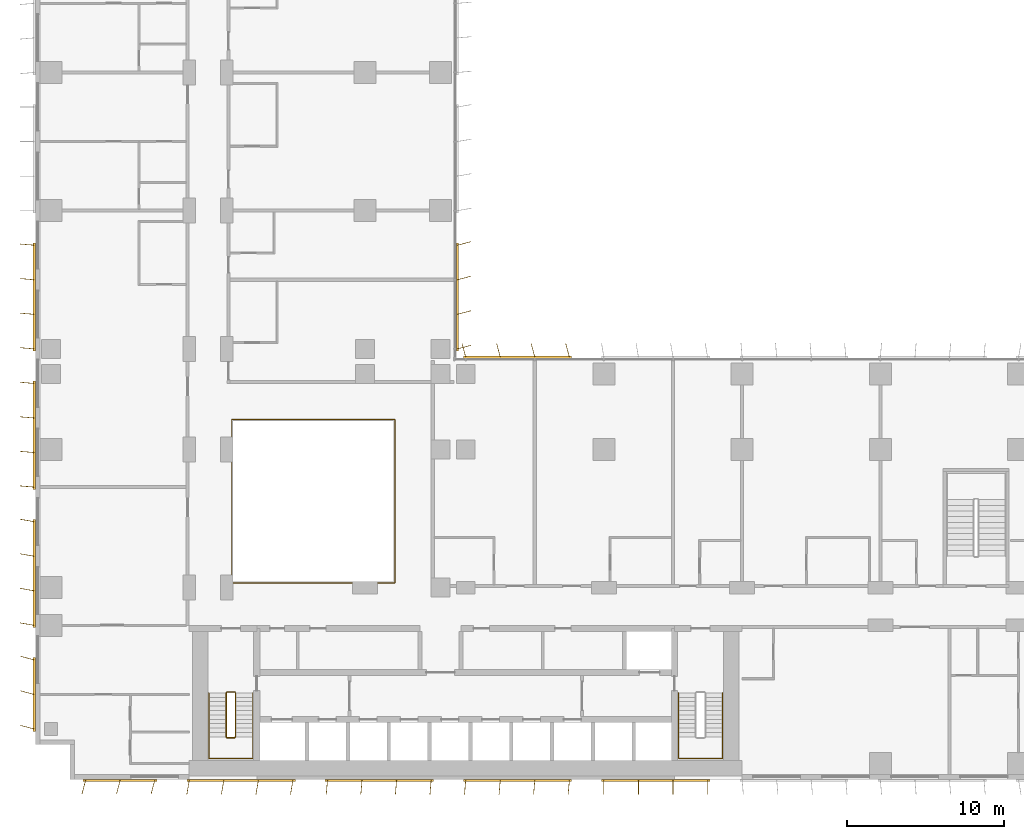
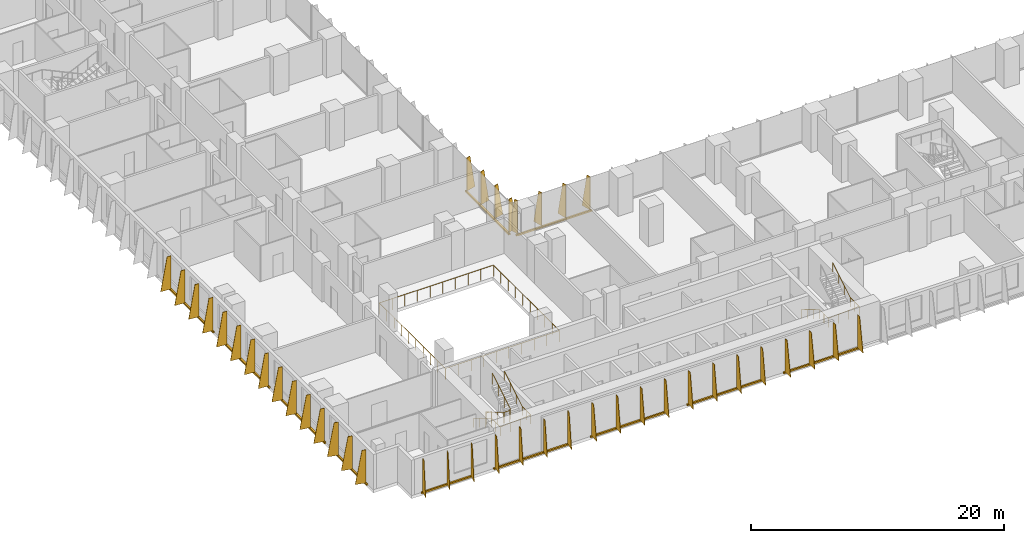
# One storey, part 21 of 24: 11 shading devices, 4 railings.
"""IFC4 building model written with IfcOpenShell, lengths in metres."""

from ifc_helpers import new_model, si_unit, direction, frame, origin, origin_2d, place, context, subcontext, project, spatial, polyline, rectangle, circle, outline, extrude, source, transform, mapped, material, layer, layer_set, type_object, element, save


model = new_model("IFC4")

# Units and contexts
model_context = context("Model", 3, precision=1e-05, world=origin(), true_north=direction((0.0, 1.0)))
body_context = subcontext(model_context, "Body", "Model", "MODEL_VIEW")
ifc_project = project(units=[si_unit("LENGTHUNIT", "METRE"), si_unit("AREAUNIT", "SQUARE_METRE"), si_unit("VOLUMEUNIT", "CUBIC_METRE"), si_unit("PLANEANGLEUNIT", "RADIAN"), si_unit("MASSUNIT", "GRAM", prefix="KILO")], contexts=[model_context])

# Site, building, storey
site_placement = place(None, origin())
site = spatial("IfcSite", under=ifc_project, at=site_placement, CompositionType="ELEMENT")
building_placement = place(site_placement, origin())
building = spatial("IfcBuilding", under=site, at=building_placement, Name="Kemantara Hotel Tower", CompositionType="ELEMENT")
storey_placement = place(building_placement, frame((0.0, 0.0, 76.0)))
storey = spatial("IfcBuildingStorey", under=building, at=storey_placement, Name="L17", CompositionType="ELEMENT", Elevation=76.0)

# Railings
ifc_material_1 = material(Name="Stainless steel and laminated glass balustrade", Category="steel")
railing_type_1 = type_object("IfcRailingType", Name="ATRIUM GUARD 1100", PredefinedType="GUARDRAIL", material=ifc_material_1)
railing_1_placement = place(storey_placement, frame((12.56005859375, 12.5, 0.0)))
element("IfcRailing", 1, at=railing_1_placement, inside=storey, type_object=railing_type_1, Name="ATRIUM GUARD L17", PredefinedType="GUARDRAIL", context=body_context, shape_type="SweptSolid", body=[
    extrude(circle(Radius=0.02490234375, at=origin_2d()), frame((0.0, 0.0, 1.0751953125), z_axis=(1.0, 0.0, 0.0), x_axis=(0.0, 1.0, 0.0)), (0.0, 0.0, 1.0), 10.33984375),
    extrude(circle(Radius=0.02490234375, at=origin_2d()), frame((10.33984375, 0.0, 1.0751953125), z_axis=(0.0, 1.0, 0.0), x_axis=(-1.0, 0.0, 0.0)), (0.0, 0.0, 1.0), 10.39990234375),
    extrude(circle(Radius=0.02490234375, at=origin_2d()), frame((10.33984375, 10.39990234375, 1.0751953125), z_axis=(-1.0, 0.0, 0.0), x_axis=(0.0, -1.0, 0.0)), (0.0, 0.0, 1.0), 10.39990234375),
    extrude(circle(Radius=0.02490234375, at=origin_2d()), frame((-0.06005859375, 10.39990234375, 1.0751953125), z_axis=(0.0, -1.0, 0.0), x_axis=(1.0, 0.0, 0.0)), (0.0, 0.0, 1.0), 10.39990234375),
    extrude(circle(Radius=0.02001953125, at=origin_2d()), origin(), (0.0, 0.0, 1.0), 1.050048828125),
    extrude(circle(Radius=0.02001953125, at=origin_2d()), frame((1.14892578125, 0.0, 0.0)), (0.0, 0.0, 1.0), 1.050048828125),
    extrude(circle(Radius=0.02001953125, at=origin_2d()), frame((2.2978515625, 0.0, 0.0)), (0.0, 0.0, 1.0), 1.050048828125),
    extrude(circle(Radius=0.02001953125, at=origin_2d()), frame((3.446533203125, 0.0, 0.0)), (0.0, 0.0, 1.0), 1.050048828125),
    extrude(circle(Radius=0.02001953125, at=origin_2d()), frame((4.595458984375, 0.0, 0.0)), (0.0, 0.0, 1.0), 1.050048828125),
    extrude(circle(Radius=0.02001953125, at=origin_2d()), frame((5.744384765625, 0.0, 0.0)), (0.0, 0.0, 1.0), 1.050048828125),
    extrude(circle(Radius=0.02001953125, at=origin_2d()), frame((6.893310546875, 0.0, 0.0)), (0.0, 0.0, 1.0), 1.050048828125),
    extrude(circle(Radius=0.02001953125, at=origin_2d()), frame((8.0419921875, 0.0, 0.0)), (0.0, 0.0, 1.0), 1.050048828125),
    extrude(circle(Radius=0.02001953125, at=origin_2d()), frame((9.19091796875, 0.0, 0.0)), (0.0, 0.0, 1.0), 1.050048828125),
    extrude(circle(Radius=0.02001953125, at=origin_2d()), frame((10.33984375, 0.0, 0.0)), (0.0, 0.0, 1.0), 1.050048828125),
    extrude(circle(Radius=0.02001953125, at=origin_2d()), frame((10.33984375, 1.155517578125, 0.0)), (0.0, 0.0, 1.0), 1.050048828125),
    extrude(circle(Radius=0.02001953125, at=origin_2d()), frame((10.33984375, 2.31103515625, 0.0)), (0.0, 0.0, 1.0), 1.050048828125),
    extrude(circle(Radius=0.02001953125, at=origin_2d()), frame((10.33984375, 3.466552734375, 0.0)), (0.0, 0.0, 1.0), 1.050048828125),
    extrude(circle(Radius=0.02001953125, at=origin_2d()), frame((10.33984375, 4.6220703125, 0.0)), (0.0, 0.0, 1.0), 1.050048828125),
    extrude(circle(Radius=0.02001953125, at=origin_2d()), frame((10.33984375, 5.77783203125, 0.0)), (0.0, 0.0, 1.0), 1.050048828125),
    extrude(circle(Radius=0.02001953125, at=origin_2d()), frame((10.33984375, 6.933349609375, 0.0)), (0.0, 0.0, 1.0), 1.050048828125),
    extrude(circle(Radius=0.02001953125, at=origin_2d()), frame((10.33984375, 8.0888671875, 0.0)), (0.0, 0.0, 1.0), 1.050048828125),
    extrude(circle(Radius=0.02001953125, at=origin_2d()), frame((10.33984375, 9.244384765625, 0.0)), (0.0, 0.0, 1.0), 1.050048828125),
    extrude(circle(Radius=0.02001953125, at=origin_2d()), frame((10.33984375, 10.39990234375, 0.0)), (0.0, 0.0, 1.0), 1.050048828125),
    extrude(circle(Radius=0.02001953125, at=origin_2d()), frame((9.184326171875, 10.39990234375, 0.0)), (0.0, 0.0, 1.0), 1.050048828125),
    extrude(circle(Radius=0.02001953125, at=origin_2d()), frame((8.02880859375, 10.39990234375, 0.0)), (0.0, 0.0, 1.0), 1.050048828125),
    extrude(circle(Radius=0.02001953125, at=origin_2d()), frame((6.873291015625, 10.39990234375, 0.0)), (0.0, 0.0, 1.0), 1.050048828125),
    extrude(circle(Radius=0.02001953125, at=origin_2d()), frame((5.7177734375, 10.39990234375, 0.0)), (0.0, 0.0, 1.0), 1.050048828125),
    extrude(circle(Radius=0.02001953125, at=origin_2d()), frame((4.56201171875, 10.39990234375, 0.0)), (0.0, 0.0, 1.0), 1.050048828125),
    extrude(circle(Radius=0.02001953125, at=origin_2d()), frame((3.406494140625, 10.39990234375, 0.0)), (0.0, 0.0, 1.0), 1.050048828125),
    extrude(circle(Radius=0.02001953125, at=origin_2d()), frame((2.2509765625, 10.39990234375, 0.0)), (0.0, 0.0, 1.0), 1.050048828125),
    extrude(circle(Radius=0.02001953125, at=origin_2d()), frame((1.095458984375, 10.39990234375, 0.0)), (0.0, 0.0, 1.0), 1.050048828125),
    extrude(circle(Radius=0.02001953125, at=origin_2d()), frame((-0.06005859375, 10.39990234375, 0.0)), (0.0, 0.0, 1.0), 1.050048828125),
    extrude(circle(Radius=0.02001953125, at=origin_2d()), frame((-0.06005859375, 9.244384765625, 0.0)), (0.0, 0.0, 1.0), 1.050048828125),
    extrude(circle(Radius=0.02001953125, at=origin_2d()), frame((-0.06005859375, 8.0888671875, 0.0)), (0.0, 0.0, 1.0), 1.050048828125),
    extrude(circle(Radius=0.02001953125, at=origin_2d()), frame((-0.06005859375, 6.933349609375, 0.0)), (0.0, 0.0, 1.0), 1.050048828125),
    extrude(circle(Radius=0.02001953125, at=origin_2d()), frame((-0.06005859375, 5.77783203125, 0.0)), (0.0, 0.0, 1.0), 1.050048828125),
    extrude(circle(Radius=0.02001953125, at=origin_2d()), frame((-0.06005859375, 4.6220703125, 0.0)), (0.0, 0.0, 1.0), 1.050048828125),
    extrude(circle(Radius=0.02001953125, at=origin_2d()), frame((-0.06005859375, 3.466552734375, 0.0)), (0.0, 0.0, 1.0), 1.050048828125),
    extrude(circle(Radius=0.02001953125, at=origin_2d()), frame((-0.06005859375, 2.31103515625, 0.0)), (0.0, 0.0, 1.0), 1.050048828125),
    extrude(circle(Radius=0.02001953125, at=origin_2d()), frame((-0.06005859375, 1.155517578125, 0.0)), (0.0, 0.0, 1.0), 1.050048828125),
    extrude(circle(Radius=0.02001953125, at=origin_2d()), frame((-0.06005859375, 0.0, 0.0)), (0.0, 0.0, 1.0), 1.050048828125),
])
ifc_material_2 = material(Name="Stainless steel balustrade", Category="steel")
railing_type_2 = type_object("IfcRailingType", Name="Stair guard 1100 mm", PredefinedType="GUARDRAIL", material=ifc_material_2)
railing_2_placement = place(storey_placement, frame((12.75, 5.5, 3.699951171875)))
element("IfcRailing", 2, at=railing_2_placement, inside=storey, type_object=railing_type_2, Name="L17 ST1 stair guard 1", PredefinedType="GUARDRAIL", context=body_context, shape_type="SweptSolid", body=[
    extrude(circle(Radius=0.02392578125, at=origin_2d()), frame((0.0, 0.0, 1.076171875), z_axis=(0.0, -0.857242210791, -0.514913383045), x_axis=(1.0, 0.0, 0.0)), (0.0, 0.0, 1.0), 3.266357421875),
    extrude(circle(Radius=0.02392578125, at=origin_2d()), frame((0.0, -2.800048828125, -0.60595703125), z_axis=(-0.274582412415, -0.274582412415, -0.921525364591), x_axis=(0.707106781187, -0.707106781187, 0.0)), (0.0, 0.0, 1.0), 0.182373046875),
    extrude(circle(Radius=0.02392578125, at=origin_2d()), frame((-0.050048828125, -2.85009765625, -0.77392578125), z_axis=(-1.0, 0.0, 0.0), x_axis=(0.0, -1.0, 0.0)), (0.0, 0.0, 1.0), 0.5),
    extrude(circle(Radius=0.02392578125, at=origin_2d()), frame((-0.550048828125, -2.85009765625, -0.77392578125), z_axis=(-0.707106781187, 0.707106781187, 0.0), x_axis=(-0.707106781187, -0.707106781187, 0.0)), (0.0, 0.0, 1.0), 0.07080078125),
    extrude(circle(Radius=0.02392578125, at=origin_2d()), frame((-0.60009765625, -2.800048828125, -0.77392578125), z_axis=(0.0, 0.857242210791, -0.514913383045), x_axis=(-1.0, 0.0, 0.0)), (0.0, 0.0, 1.0), 3.266357421875),
    extrude(circle(Radius=0.02392578125, at=origin_2d()), frame((-0.60009765625, 0.0, -2.45556640625), z_axis=(0.274243871929, 0.274243871929, -0.92172696468), x_axis=(-0.707106781187, 0.707106781187, 0.0)), (0.0, 0.0, 1.0), 0.1826171875),
    extrude(circle(Radius=0.02392578125, at=origin_2d()), frame((-0.550048828125, 0.050048828125, -2.6240234375), z_axis=(1.0, 0.0, 0.0), x_axis=(0.0, 1.0, 0.0)), (0.0, 0.0, 1.0), 0.5),
    extrude(circle(Radius=0.02099609375, at=origin_2d()), origin(), (0.0, 0.0, 1.0), 1.052001953125),
    extrude(circle(Radius=0.02099609375, at=origin_2d()), frame((0.0, -0.933349609375, -0.560546875)), (0.0, 0.0, 1.0), 1.052001953125),
    extrude(circle(Radius=0.02099609375, at=origin_2d()), frame((0.0, -1.86669921875, -1.121337890625)), (0.0, 0.0, 1.0), 1.052001953125),
    extrude(circle(Radius=0.02099609375, at=origin_2d()), frame((0.0, -2.800048828125, -1.681884765625)), (0.0, 0.0, 1.0), 1.052001953125),
    extrude(circle(Radius=0.02099609375, at=origin_2d()), frame((-0.050048828125, -2.85009765625, -1.849853515625)), (0.0, 0.0, 1.0), 1.052001953125),
    extrude(circle(Radius=0.02099609375, at=origin_2d()), frame((-0.550048828125, -2.85009765625, -1.849853515625)), (0.0, 0.0, 1.0), 1.052001953125),
    extrude(circle(Radius=0.02099609375, at=origin_2d()), frame((-0.60009765625, -2.800048828125, -1.849853515625)), (0.0, 0.0, 1.0), 1.052001953125),
    extrude(circle(Radius=0.02099609375, at=origin_2d()), frame((-0.60009765625, -1.86669921875, -2.410400390625)), (0.0, 0.0, 1.0), 1.052001953125),
    extrude(circle(Radius=0.02099609375, at=origin_2d()), frame((-0.60009765625, -0.933349609375, -2.97119140625)), (0.0, 0.0, 1.0), 1.052001953125),
    extrude(circle(Radius=0.02099609375, at=origin_2d()), frame((-0.60009765625, 0.0, -3.53173828125)), (0.0, 0.0, 1.0), 1.052001953125),
    extrude(circle(Radius=0.02099609375, at=origin_2d()), frame((-0.550048828125, 0.050048828125, -3.699951171875)), (0.0, 0.0, 1.0), 1.052001953125),
    extrude(circle(Radius=0.02099609375, at=origin_2d()), frame((-0.050048828125, 0.050048828125, -3.699951171875)), (0.0, 0.0, 1.0), 1.052001953125),
])
railing_type_3 = type_object("IfcRailingType", Name="Stair handrail 900 mm", PredefinedType="HANDRAIL", material=ifc_material_2)
railing_3_placement = place(storey_placement, frame((11.050048828125, 5.5, 0.168212890625)))
element("IfcRailing", 3, at=railing_3_placement, inside=storey, type_object=railing_type_3, Name="L17 ST1 stair handrail 1", PredefinedType="HANDRAIL", context=body_context, shape_type="SweptSolid", body=[
    extrude(circle(Radius=0.02392578125, at=origin_2d()), frame((0.0, 0.0, 0.8759765625), z_axis=(0.0, -0.857242210791, 0.514913383045), x_axis=(1.0, 0.0, 0.0)), (0.0, 0.0, 1.0), 3.266357421875),
    extrude(circle(Radius=0.02392578125, at=origin_2d()), frame((0.0, -2.800048828125, 2.5576171875), z_axis=(0.0, -1.0, 0.0), x_axis=(1.0, 0.0, 0.0)), (0.0, 0.0, 1.0), 1.3798828125),
    extrude(circle(Radius=0.02392578125, at=origin_2d()), frame((0.0, -4.179931640625, 2.5576171875), z_axis=(0.998205573864, 0.0, 0.059880149518), x_axis=(0.0, 1.0, 0.0)), (0.0, 0.0, 1.0), 2.80517578125),
    extrude(circle(Radius=0.02392578125, at=origin_2d()), frame((2.800048828125, -4.179931640625, 2.7255859375), z_axis=(0.0, 1.0, 0.0), x_axis=(-1.0, 0.0, 0.0)), (0.0, 0.0, 1.0), 1.3798828125),
    extrude(circle(Radius=0.02392578125, at=origin_2d()), frame((2.800048828125, -2.800048828125, 2.7255859375), z_axis=(0.0, 0.857242210791, 0.514913383045), x_axis=(-1.0, 0.0, 0.0)), (0.0, 0.0, 1.0), 3.266357421875),
    extrude(circle(Radius=0.02099609375, at=origin_2d()), origin(), (0.0, 0.0, 1.0), 0.851806640625),
    extrude(circle(Radius=0.02099609375, at=origin_2d()), frame((0.0, -0.933349609375, 0.560546875)), (0.0, 0.0, 1.0), 0.851806640625),
    extrude(circle(Radius=0.02099609375, at=origin_2d()), frame((0.0, -1.86669921875, 1.121337890625)), (0.0, 0.0, 1.0), 0.851806640625),
    extrude(circle(Radius=0.02099609375, at=origin_2d()), frame((0.0, -2.800048828125, 1.681884765625)), (0.0, 0.0, 1.0), 0.851806640625),
    extrude(circle(Radius=0.02099609375, at=origin_2d()), frame((0.0, -3.489990234375, 1.681884765625)), (0.0, 0.0, 1.0), 0.851806640625),
    extrude(circle(Radius=0.02099609375, at=origin_2d()), frame((0.0, -4.179931640625, 1.681884765625)), (0.0, 0.0, 1.0), 0.851806640625),
    extrude(circle(Radius=0.02099609375, at=origin_2d()), frame((0.933349609375, -4.179931640625, 1.73779296875)), (0.0, 0.0, 1.0), 0.851806640625),
    extrude(circle(Radius=0.02099609375, at=origin_2d()), frame((1.86669921875, -4.179931640625, 1.7939453125)), (0.0, 0.0, 1.0), 0.851806640625),
    extrude(circle(Radius=0.02099609375, at=origin_2d()), frame((2.800048828125, -4.179931640625, 1.849853515625)), (0.0, 0.0, 1.0), 0.851806640625),
    extrude(circle(Radius=0.02099609375, at=origin_2d()), frame((2.800048828125, -3.489990234375, 1.849853515625)), (0.0, 0.0, 1.0), 0.851806640625),
    extrude(circle(Radius=0.02099609375, at=origin_2d()), frame((2.800048828125, -2.800048828125, 1.849853515625)), (0.0, 0.0, 1.0), 0.851806640625),
    extrude(circle(Radius=0.02099609375, at=origin_2d()), frame((2.800048828125, -1.86669921875, 2.410400390625)), (0.0, 0.0, 1.0), 0.851806640625),
    extrude(circle(Radius=0.02099609375, at=origin_2d()), frame((2.800048828125, -0.933349609375, 2.97119140625)), (0.0, 0.0, 1.0), 0.851806640625),
    extrude(circle(Radius=0.02099609375, at=origin_2d()), frame((2.800048828125, 0.0, 3.53173828125)), (0.0, 0.0, 1.0), 0.851806640625),
])
railing_4_placement = place(storey_placement, frame((40.949951171875, 5.5, 0.168212890625)))
element("IfcRailing", 4, at=railing_4_placement, inside=storey, type_object=railing_type_3, Name="L17 ST2 stair handrail 1", PredefinedType="HANDRAIL", context=body_context, shape_type="SweptSolid", body=[
    extrude(circle(Radius=0.02392578125, at=origin_2d()), frame((0.0, 0.0, 0.8759765625), z_axis=(0.0, -0.857242210791, 0.514913383045), x_axis=(1.0, 0.0, 0.0)), (0.0, 0.0, 1.0), 3.266357421875),
    extrude(circle(Radius=0.02392578125, at=origin_2d()), frame((0.0, -2.800048828125, 2.5576171875), z_axis=(0.0, -1.0, 0.0), x_axis=(1.0, 0.0, 0.0)), (0.0, 0.0, 1.0), 1.3798828125),
    extrude(circle(Radius=0.02392578125, at=origin_2d()), frame((0.0, -4.179931640625, 2.5576171875), z_axis=(0.998205573864, 0.0, 0.059880149518), x_axis=(0.0, 1.0, 0.0)), (0.0, 0.0, 1.0), 2.80517578125),
    extrude(circle(Radius=0.02392578125, at=origin_2d()), frame((2.800048828125, -4.179931640625, 2.7255859375), z_axis=(0.0, 1.0, 0.0), x_axis=(-1.0, 0.0, 0.0)), (0.0, 0.0, 1.0), 1.3798828125),
    extrude(circle(Radius=0.02392578125, at=origin_2d()), frame((2.800048828125, -2.800048828125, 2.7255859375), z_axis=(0.0, 0.857242210791, 0.514913383045), x_axis=(-1.0, 0.0, 0.0)), (0.0, 0.0, 1.0), 3.266357421875),
    extrude(circle(Radius=0.02099609375, at=origin_2d()), origin(), (0.0, 0.0, 1.0), 0.851806640625),
    extrude(circle(Radius=0.02099609375, at=origin_2d()), frame((0.0, -0.933349609375, 0.560546875)), (0.0, 0.0, 1.0), 0.851806640625),
    extrude(circle(Radius=0.02099609375, at=origin_2d()), frame((0.0, -1.86669921875, 1.121337890625)), (0.0, 0.0, 1.0), 0.851806640625),
    extrude(circle(Radius=0.02099609375, at=origin_2d()), frame((0.0, -2.800048828125, 1.681884765625)), (0.0, 0.0, 1.0), 0.851806640625),
    extrude(circle(Radius=0.02099609375, at=origin_2d()), frame((0.0, -3.489990234375, 1.681884765625)), (0.0, 0.0, 1.0), 0.851806640625),
    extrude(circle(Radius=0.02099609375, at=origin_2d()), frame((0.0, -4.179931640625, 1.681884765625)), (0.0, 0.0, 1.0), 0.851806640625),
    extrude(circle(Radius=0.02099609375, at=origin_2d()), frame((0.933349609375, -4.179931640625, 1.73779296875)), (0.0, 0.0, 1.0), 0.851806640625),
    extrude(circle(Radius=0.02099609375, at=origin_2d()), frame((1.86669921875, -4.179931640625, 1.7939453125)), (0.0, 0.0, 1.0), 0.851806640625),
    extrude(circle(Radius=0.02099609375, at=origin_2d()), frame((2.800048828125, -4.179931640625, 1.849853515625)), (0.0, 0.0, 1.0), 0.851806640625),
    extrude(circle(Radius=0.02099609375, at=origin_2d()), frame((2.800048828125, -3.489990234375, 1.849853515625)), (0.0, 0.0, 1.0), 0.851806640625),
    extrude(circle(Radius=0.02099609375, at=origin_2d()), frame((2.800048828125, -2.800048828125, 1.849853515625)), (0.0, 0.0, 1.0), 0.851806640625),
    extrude(circle(Radius=0.02099609375, at=origin_2d()), frame((2.800048828125, -1.86669921875, 2.410400390625)), (0.0, 0.0, 1.0), 0.851806640625),
    extrude(circle(Radius=0.02099609375, at=origin_2d()), frame((2.800048828125, -0.933349609375, 2.97119140625)), (0.0, 0.0, 1.0), 0.851806640625),
    extrude(circle(Radius=0.02099609375, at=origin_2d()), frame((2.800048828125, 0.0, 3.53173828125)), (0.0, 0.0, 1.0), 0.851806640625),
])

# Shading devices
ifc_material_3 = material(Name="Perforated aluminium plate 4 mm bronze anodised", Category="aluminium")
ifc_layer_1 = layer(ifc_material_3, 0.0400390625)
ifc_layer_set_1 = layer_set([ifc_layer_1], Name="Perforated aluminium plate 4 mm bronze anodised")
shading_device_type_1 = type_object("IfcShadingDeviceType", Name="SCREEN FIN CASSETTE, 3 BLADES AT -15.0 DEG, 3200 HIGH", PredefinedType="USERDEFINED", material=ifc_layer_set_1)
shared_shape_1 = source(origin(), body_context, "Body", "SweptSolid", [
    extrude(rectangle(XDim=4.699951171875, YDim=0.14990234375, at=origin_2d()), frame((2.199951171875, -0.074951171875, -0.14990234375), z_axis=(0.0, 0.0, 1.0), x_axis=(1.0, 0.0, 0.0)), (0.0, 0.0, 1.0), 0.14990234375),
    extrude(outline(polyline([(0.0, 0.0), (0.89990234375, 0.0), (0.35009765625, 3.199951171875), (0.0, 3.199951171875), (0.0, 0.0)])), frame((0.019287109375, -0.080078125, 0.0), z_axis=(-0.966437683387, 0.256901156343, 0.0), x_axis=(-0.256901156343, -0.966437683387, 0.0)), (0.0, 0.0, 1.0), 0.039794921875),
    extrude(outline(polyline([(0.0, 0.0), (0.89990234375, 0.0), (0.35009765625, 3.199951171875), (0.0, 3.199951171875), (0.0, 0.0)])), frame((2.21923828125, -0.080078125, 0.0), z_axis=(-0.966437683387, 0.256901156343, 0.0), x_axis=(-0.256901156343, -0.966437683387, 0.0)), (0.0, 0.0, 1.0), 0.039794921875),
    extrude(outline(polyline([(0.0, 0.0), (0.89990234375, 0.0), (0.35009765625, 3.199951171875), (0.0, 3.199951171875), (0.0, 0.0)])), frame((4.41943359375, -0.080078125, 0.0), z_axis=(-0.966837822169, 0.255391122837, 0.0), x_axis=(-0.255391122837, -0.966837822169, 0.0)), (0.0, 0.0, 1.0), 0.0400390625),
])
for number, where, z_axis, x_axis, name in (
    (5, (3.199951171875, 0.0, 0.10009765625), (0.0, 0.0, 1.0), (1.0, 0.0, 0.0), "SCREEN FIN CASSETTE L17 T1-R01-1"),
    (6, (0.0, 7.60009765625, 0.10009765625), (0.0, 0.0, 1.0), (0.0, -1.0, 0.0), "SCREEN FIN CASSETTE L17 T1-R14-9"),
):
    element("IfcShadingDevice", number, at=place(storey_placement, frame(where, z_axis=z_axis, x_axis=x_axis)), inside=storey, type_object=shading_device_type_1, Name=name, ObjectType="SCREEN FIN", PredefinedType="USERDEFINED", context=body_context, shape_type="MappedRepresentation", body=[
        mapped(shared_shape_1, transform((0.0, 0.0, 0.0))),
    ])
ifc_layer_2 = layer(ifc_material_3, 0.0400390625)
ifc_layer_set_2 = layer_set([ifc_layer_2], Name="Perforated aluminium plate 4 mm bronze anodised")
shading_device_type_2 = type_object("IfcShadingDeviceType", Name="SCREEN FIN CASSETTE, 4 BLADES AT -10.0 DEG, 3200 HIGH", PredefinedType="USERDEFINED", material=ifc_layer_set_2)
shared_shape_2 = source(origin(), body_context, "Body", "SweptSolid", [
    extrude(rectangle(XDim=6.89990234375, YDim=0.14990234375, at=origin_2d()), frame((3.300048828125, -0.074951171875, -0.14990234375), z_axis=(0.0, 0.0, 1.0), x_axis=(1.0, 0.0, 0.0)), (0.0, 0.0, 1.0), 0.14990234375),
    extrude(outline(polyline([(0.0, 0.0), (0.89990234375, 0.0), (0.35009765625, 3.199951171875), (0.0, 3.199951171875), (0.0, 0.0)])), frame((0.019775390625, -0.078369140625, 0.0), z_axis=(-0.985389793052, 0.170314285219, 0.0), x_axis=(-0.170314285219, -0.985389793052, 0.0)), (0.0, 0.0, 1.0), 0.0400390625),
    extrude(outline(polyline([(0.0, 0.0), (0.89990234375, 0.0), (0.35009765625, 3.199951171875), (0.0, 3.199951171875), (0.0, 0.0)])), frame((2.2197265625, -0.078369140625, 0.0), z_axis=(-0.98521175482, 0.171341174751, 0.0), x_axis=(-0.171341174751, -0.98521175482, 0.0)), (0.0, 0.0, 1.0), 0.039794921875),
    extrude(outline(polyline([(0.0, 0.0), (0.89990234375, 0.0), (0.35009765625, 3.199951171875), (0.0, 3.199951171875), (0.0, 0.0)])), frame((4.419677734375, -0.078369140625, 0.0), z_axis=(-0.98521175482, 0.171341174751, 0.0), x_axis=(-0.171341174751, -0.98521175482, 0.0)), (0.0, 0.0, 1.0), 0.039794921875),
    extrude(outline(polyline([(0.0, 0.0), (0.89990234375, 0.0), (0.35009765625, 3.199951171875), (0.0, 3.199951171875), (0.0, 0.0)])), frame((6.61962890625, -0.078369140625, 0.0), z_axis=(-0.98521175482, 0.171341174751, 0.0), x_axis=(-0.171341174751, -0.98521175482, 0.0)), (0.0, 0.0, 1.0), 0.039794921875),
])
for number, where, z_axis, x_axis, name in (
    (7, (9.800048828125, 0.0, 0.10009765625), (0.0, 0.0, 1.0), (1.0, 0.0, 0.0), "SCREEN FIN CASSETTE L17 T1-R01-2"),
    (8, (0.0, 16.39990234375, 0.10009765625), (0.0, 0.0, 1.0), (0.0, -1.0, 0.0), "SCREEN FIN CASSETTE L17 T1-R14-8"),
):
    element("IfcShadingDevice", number, at=place(storey_placement, frame(where, z_axis=z_axis, x_axis=x_axis)), inside=storey, type_object=shading_device_type_2, Name=name, ObjectType="SCREEN FIN", PredefinedType="USERDEFINED", context=body_context, shape_type="MappedRepresentation", body=[
        mapped(shared_shape_2, transform((0.0, 0.0, 0.0))),
    ])
ifc_layer_3 = layer(ifc_material_3, 0.0400390625)
ifc_layer_set_3 = layer_set([ifc_layer_3], Name="Perforated aluminium plate 4 mm bronze anodised")
shading_device_type_3 = type_object("IfcShadingDeviceType", Name="SCREEN FIN CASSETTE, 4 BLADES AT -5.0 DEG, 3200 HIGH", PredefinedType="USERDEFINED", material=ifc_layer_set_3)
shared_shape_3 = source(origin(), body_context, "Body", "SweptSolid", [
    extrude(rectangle(XDim=6.89990234375, YDim=0.14990234375, at=origin_2d()), frame((3.300048828125, -0.074951171875, -0.14990234375), z_axis=(0.0, 0.0, 1.0), x_axis=(1.0, 0.0, 0.0)), (0.0, 0.0, 1.0), 0.14990234375),
    extrude(outline(polyline([(0.0, 0.0), (0.89990234375, 0.0), (0.35009765625, 3.199951171875), (0.0, 3.199951171875), (0.0, 0.0)])), frame((0.02001953125, -0.07666015625, 0.0), z_axis=(-0.996376129781, 0.085056498884, 0.0), x_axis=(-0.085056498884, -0.996376129781, 0.0)), (0.0, 0.0, 1.0), 0.040283203125),
    extrude(outline(polyline([(0.0, 0.0), (0.89990234375, 0.0), (0.35009765625, 3.199951171875), (0.0, 3.199951171875), (0.0, 0.0)])), frame((2.219970703125, -0.07666015625, 0.0), z_axis=(-0.996331773833, 0.085574508182, 0.0), x_axis=(-0.085574508182, -0.996331773833, 0.0)), (0.0, 0.0, 1.0), 0.0400390625),
    extrude(outline(polyline([(0.0, 0.0), (0.89990234375, 0.0), (0.35009765625, 3.199951171875), (0.0, 3.199951171875), (0.0, 0.0)])), frame((4.419921875, -0.07666015625, 0.0), z_axis=(-0.996331773833, 0.085574508182, 0.0), x_axis=(-0.085574508182, -0.996331773833, 0.0)), (0.0, 0.0, 1.0), 0.0400390625),
    extrude(outline(polyline([(0.0, 0.0), (0.89990234375, 0.0), (0.35009765625, 3.199951171875), (0.0, 3.199951171875), (0.0, 0.0)])), frame((6.619873046875, -0.07666015625, 0.0), z_axis=(-0.996331773833, 0.085574508182, 0.0), x_axis=(-0.085574508182, -0.996331773833, 0.0)), (0.0, 0.0, 1.0), 0.0400390625),
])
for number, where, z_axis, x_axis, name in (
    (9, (18.60009765625, 0.0, 0.10009765625), (0.0, 0.0, 1.0), (1.0, 0.0, 0.0), "SCREEN FIN CASSETTE L17 T1-R01-3"),
    (10, (27.39990234375, 0.0, 0.10009765625), (0.0, 0.0, 1.0), (1.0, 0.0, 0.0), "SCREEN FIN CASSETTE L17 T1-R01-4"),
    (11, (0.0, 34.0, 0.10009765625), (0.0, 0.0, 1.0), (0.0, -1.0, 0.0), "SCREEN FIN CASSETTE L17 T1-R14-6"),
    (12, (0.0, 25.199951171875, 0.10009765625), (0.0, 0.0, 1.0), (0.0, -1.0, 0.0), "SCREEN FIN CASSETTE L17 T1-R14-7"),
):
    element("IfcShadingDevice", number, at=place(storey_placement, frame(where, z_axis=z_axis, x_axis=x_axis)), inside=storey, type_object=shading_device_type_3, Name=name, ObjectType="SCREEN FIN", PredefinedType="USERDEFINED", context=body_context, shape_type="MappedRepresentation", body=[
        mapped(shared_shape_3, transform((0.0, 0.0, 0.0))),
    ])
ifc_layer_4 = layer(ifc_material_3, 0.0400390625)
ifc_layer_set_4 = layer_set([ifc_layer_4], Name="Perforated aluminium plate 4 mm bronze anodised")
shading_device_type_4 = type_object("IfcShadingDeviceType", Name="SCREEN FIN CASSETTE, 4 BLADES AT +0.0 DEG, 3200 HIGH", PredefinedType="USERDEFINED", material=ifc_layer_set_4)
shared_shape_4 = source(origin(), body_context, "Body", "SweptSolid", [
    extrude(rectangle(XDim=6.89990234375, YDim=0.14990234375, at=origin_2d()), frame((3.300048828125, -0.074951171875, -0.14990234375), z_axis=(0.0, 0.0, 1.0), x_axis=(1.0, 0.0, 0.0)), (0.0, 0.0, 1.0), 0.14990234375),
    extrude(outline(polyline([(0.0, 0.0), (0.89990234375, 0.0), (0.35009765625, 3.199951171875), (0.0, 3.199951171875), (0.0, 0.0)])), frame((0.02001953125, -0.074951171875, 0.0), z_axis=(-1.0, 0.0, 0.0), x_axis=(0.0, -1.0, 0.0)), (0.0, 0.0, 1.0), 0.0400390625),
    extrude(outline(polyline([(0.0, 0.0), (0.89990234375, 0.0), (0.35009765625, 3.199951171875), (0.0, 3.199951171875), (0.0, 0.0)])), frame((2.219970703125, -0.074951171875, 0.0), z_axis=(-1.0, 0.0, 0.0), x_axis=(0.0, -1.0, 0.0)), (0.0, 0.0, 1.0), 0.0400390625),
    extrude(outline(polyline([(0.0, 0.0), (0.89990234375, 0.0), (0.35009765625, 3.199951171875), (0.0, 3.199951171875), (0.0, 0.0)])), frame((4.419921875, -0.074951171875, 0.0), z_axis=(-1.0, 0.0, 0.0), x_axis=(0.0, -1.0, 0.0)), (0.0, 0.0, 1.0), 0.0400390625),
    extrude(outline(polyline([(0.0, 0.0), (0.89990234375, 0.0), (0.35009765625, 3.199951171875), (0.0, 3.199951171875), (0.0, 0.0)])), frame((6.6201171875, -0.074951171875, 0.0), z_axis=(-1.0, 0.0, 0.0), x_axis=(0.0, -1.0, 0.0)), (0.0, 0.0, 1.0), 0.0400390625),
])
shading_device_placement = place(storey_placement, frame((36.199951171875, 0.0, 0.10009765625), z_axis=(0.0, 0.0, 1.0), x_axis=(1.0, 0.0, 0.0)))
element("IfcShadingDevice", 13, at=shading_device_placement, inside=storey, type_object=shading_device_type_4, Name="SCREEN FIN CASSETTE L17 T1-R01-5", ObjectType="SCREEN FIN", PredefinedType="USERDEFINED", context=body_context, shape_type="MappedRepresentation", body=[
    mapped(shared_shape_4, transform((0.0, 0.0, 0.0))),
])
ifc_layer_5 = layer(ifc_material_3, 0.0400390625)
ifc_layer_set_5 = layer_set([ifc_layer_5], Name="Perforated aluminium plate 4 mm bronze anodised")
shading_device_type_5 = type_object("IfcShadingDeviceType", Name="SCREEN FIN CASSETTE, 4 BLADES AT +15.0 DEG, 3200 HIGH", PredefinedType="USERDEFINED", material=ifc_layer_set_5)
shared_shape_5 = source(origin(), body_context, "Body", "SweptSolid", [
    extrude(rectangle(XDim=6.89990234375, YDim=0.14990234375, at=origin_2d()), frame((3.300048828125, -0.074951171875, -0.14990234375), z_axis=(0.0, 0.0, 1.0), x_axis=(1.0, 0.0, 0.0)), (0.0, 0.0, 1.0), 0.14990234375),
    extrude(outline(polyline([(0.0, 0.0), (0.89990234375, 0.0), (0.35009765625, 3.199951171875), (0.0, 3.199951171875), (0.0, 0.0)])), frame((0.019287109375, -0.06982421875, 0.0), z_axis=(-0.966437683387, -0.256901156343, 0.0), x_axis=(0.256901156343, -0.966437683387, 0.0)), (0.0, 0.0, 1.0), 0.039794921875),
    extrude(outline(polyline([(0.0, 0.0), (0.89990234375, 0.0), (0.35009765625, 3.199951171875), (0.0, 3.199951171875), (0.0, 0.0)])), frame((2.21923828125, -0.06982421875, 0.0), z_axis=(-0.966437683387, -0.256901156343, 0.0), x_axis=(0.256901156343, -0.966437683387, 0.0)), (0.0, 0.0, 1.0), 0.039794921875),
    extrude(outline(polyline([(0.0, 0.0), (0.89990234375, 0.0), (0.35009765625, 3.199951171875), (0.0, 3.199951171875), (0.0, 0.0)])), frame((4.41943359375, -0.06982421875, 0.0), z_axis=(-0.966837822169, -0.255391122837, 0.0), x_axis=(0.255391122837, -0.966837822169, 0.0)), (0.0, 0.0, 1.0), 0.0400390625),
    extrude(outline(polyline([(0.0, 0.0), (0.89990234375, 0.0), (0.35009765625, 3.199951171875), (0.0, 3.199951171875), (0.0, 0.0)])), frame((6.619384765625, -0.06982421875, 0.0), z_axis=(-0.966837822169, -0.255391122837, 0.0), x_axis=(0.255391122837, -0.966837822169, 0.0)), (0.0, 0.0, 1.0), 0.0400390625),
])
for number, where, z_axis, x_axis, name in (
    (14, (34.0, 26.800048828125, 0.10009765625), (0.0, 0.0, 1.0), (-1.0, 0.0, 0.0), "SCREEN FIN CASSETTE L17 T1-R07-6"),
    (15, (26.800048828125, 27.39990234375, 0.10009765625), (0.0, 0.0, 1.0), (0.0, 1.0, 0.0), "SCREEN FIN CASSETTE L17 T1-R08-1"),
):
    element("IfcShadingDevice", number, at=place(storey_placement, frame(where, z_axis=z_axis, x_axis=x_axis)), inside=storey, type_object=shading_device_type_5, Name=name, ObjectType="SCREEN FIN", PredefinedType="USERDEFINED", context=body_context, shape_type="MappedRepresentation", body=[
        mapped(shared_shape_5, transform((0.0, 0.0, 0.0))),
    ])

save(model, "model.ifc")
